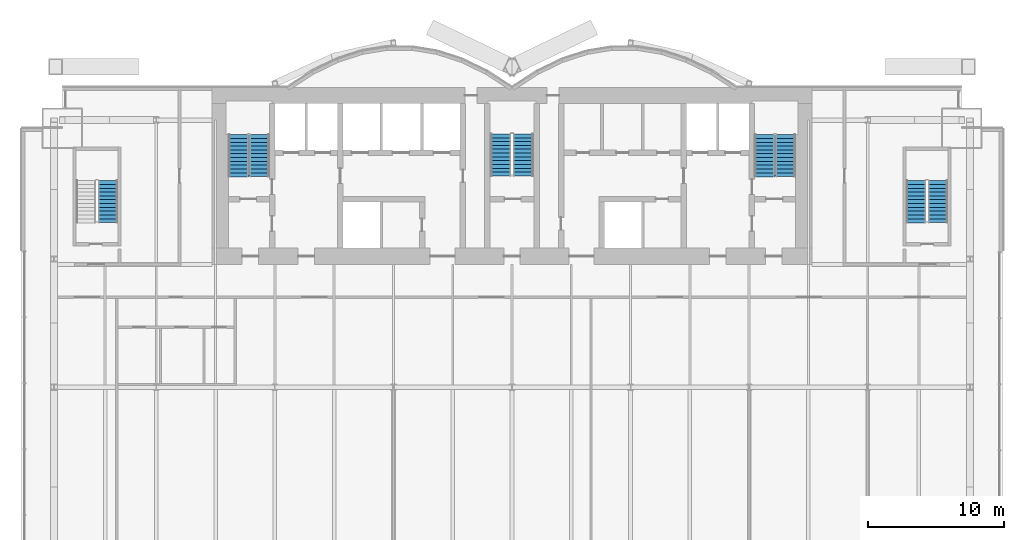
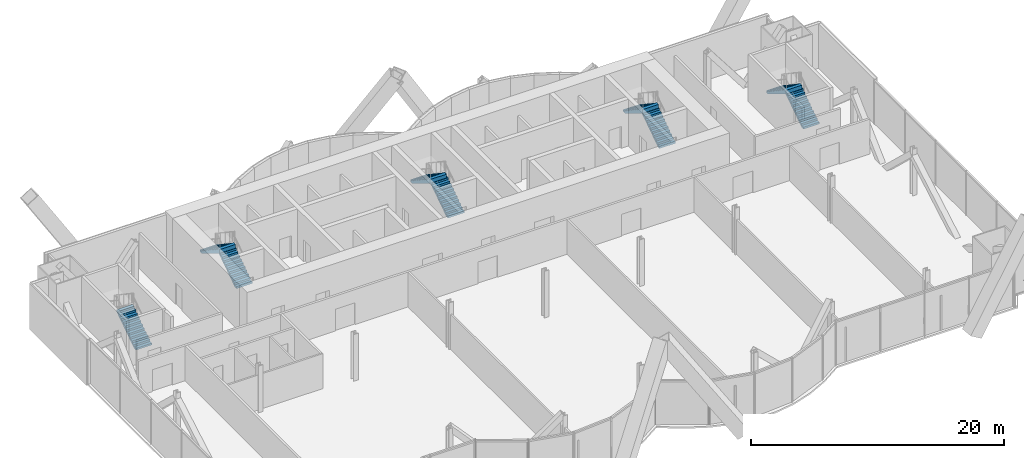
# One storey, part 18 of 21: 9 stair flights, 5 elements without a shape of their own.
"""IFC4 building model written with IfcOpenShell, lengths in metres."""

from ifc_helpers import new_model, si_unit, direction, frame, origin, place, context, subcontext, project, spatial, polyline, outline, extrude, material, type_object, element, aggregate, save


model = new_model("IFC4")

# Units and contexts
model_context = context("Model", 3, precision=1e-05, world=origin(), true_north=direction((0.0, 1.0)))
body_context = subcontext(model_context, "Body", "Model", "MODEL_VIEW")
ifc_project = project(units=[si_unit("LENGTHUNIT", "METRE"), si_unit("AREAUNIT", "SQUARE_METRE"), si_unit("VOLUMEUNIT", "CUBIC_METRE"), si_unit("PLANEANGLEUNIT", "RADIAN"), si_unit("MASSUNIT", "GRAM", prefix="KILO")], contexts=[model_context])

# Site, building, storey
site_placement = place(None, origin())
site = spatial("IfcSite", under=ifc_project, at=site_placement, CompositionType="ELEMENT")
building_placement = place(site_placement, origin())
building = spatial("IfcBuilding", under=site, at=building_placement, Name="Bicima Exchange Tower", CompositionType="ELEMENT")
storey_placement = place(building_placement, frame((0.0, 0.0, 80.0)))
storey = spatial("IfcBuildingStorey", under=building, at=storey_placement, Name="L16", CompositionType="ELEMENT", Elevation=80.0)

# Stair, stair flights
ifc_material = material(Name="Concrete C50/60", Category="concrete")
stair_type_1 = type_object("IfcStairType", Name="Exit stair", PredefinedType="HALF_TURN_STAIR", material=ifc_material)
stair_1_placement = place(storey_placement, origin())
stair_1 = element("IfcStair", 1, at=stair_1_placement, inside=storey, type_object=stair_type_1, Name="L16 West exit stair", PredefinedType="HALF_TURN_STAIR")
stair_flight_type_1 = type_object("IfcStairFlightType", Name="Stair flight RC", PredefinedType="STRAIGHT", material=ifc_material)
stair_flight_1_placement = place(storey_placement, frame((-18.52490234375, -6.550048828125, 0.0), z_axis=(0.0, 0.0, 1.0), x_axis=(0.0, 1.0, 0.0)))
stair_flight_1 = element("IfcStairFlight", 2, at=stair_flight_1_placement, type_object=stair_flight_type_1, Name="ST-W flight 1", NumberOfRisers=12, NumberOfTreads=11, PredefinedType="STRAIGHT", RiserHeight=0.1875, TreadLength=0.28, context=body_context, shape_type="SweptSolid", body=[
    extrude(outline(polyline([(0.0, 0.0), (0.0, 0.1875), (0.280029296875, 0.1875), (0.280029296875, 0.375), (0.56005859375, 0.375), (0.56005859375, 0.5625), (0.840087890625, 0.5625), (0.840087890625, 0.75), (1.1201171875, 0.75), (1.1201171875, 0.9375), (1.39990234375, 0.9375), (1.39990234375, 1.125), (1.679931640625, 1.125), (1.679931640625, 1.3125), (1.9599609375, 1.3125), (1.9599609375, 1.5), (2.239990234375, 1.5), (2.239990234375, 1.6875), (2.52001953125, 1.6875), (2.52001953125, 1.875), (2.800048828125, 1.875), (2.800048828125, 2.0625), (3.080078125, 2.0625), (3.080078125, 2.25), (3.080078125, 1.882080078125), (0.26953125, 0.0), (0.0, 0.0)])), frame((0.0, 0.72509765625, 0.0), z_axis=(0.0, -1.0, 0.0), x_axis=(1.0, 0.0, 0.0)), (0.0, 0.0, 1.0), 1.449951171875),
])
stair_flight_2_placement = place(storey_placement, frame((-20.074951171875, -3.469970703125, 2.25), z_axis=(0.0, 0.0, 1.0), x_axis=(0.0, -1.0, 0.0)))
stair_flight_2 = element("IfcStairFlight", 3, at=stair_flight_2_placement, type_object=stair_flight_type_1, Name="ST-W flight 2", NumberOfRisers=12, NumberOfTreads=11, PredefinedType="STRAIGHT", RiserHeight=0.1875, TreadLength=0.28, context=body_context, shape_type="SweptSolid", body=[
    extrude(outline(polyline([(0.0, 0.0), (0.0, 0.1875), (0.280029296875, 0.1875), (0.280029296875, 0.375), (0.56005859375, 0.375), (0.56005859375, 0.5625), (0.840087890625, 0.5625), (0.840087890625, 0.75), (1.1201171875, 0.75), (1.1201171875, 0.9375), (1.39990234375, 0.9375), (1.39990234375, 1.125), (1.679931640625, 1.125), (1.679931640625, 1.3125), (1.9599609375, 1.3125), (1.9599609375, 1.5), (2.239990234375, 1.5), (2.239990234375, 1.6875), (2.52001953125, 1.6875), (2.52001953125, 1.875), (2.800048828125, 1.875), (2.800048828125, 2.0625), (3.080078125, 2.0625), (3.094970703125, 2.0625), (3.094970703125, 1.70458984375), (0.26953125, 0.0), (0.0, 0.0)])), frame((0.0, 0.72509765625, 0.0), z_axis=(0.0, -1.0, 0.0), x_axis=(1.0, 0.0, 0.0)), (0.0, 0.0, 1.0), 1.449951171875),
])
aggregate(stair_1, [stair_flight_1, stair_flight_2])

stair_2_placement = place(storey_placement, origin())
stair_2 = element("IfcStair", 4, at=stair_2_placement, inside=storey, type_object=stair_type_1, Name="L16 East exit stair", PredefinedType="HALF_TURN_STAIR")
stair_flight_3_placement = place(storey_placement, frame((20.074951171875, -6.550048828125, 0.0), z_axis=(0.0, 0.0, 1.0), x_axis=(0.0, 1.0, 0.0)))
stair_flight_3 = element("IfcStairFlight", 5, at=stair_flight_3_placement, type_object=stair_flight_type_1, Name="ST-E flight 1", NumberOfRisers=12, NumberOfTreads=11, PredefinedType="STRAIGHT", RiserHeight=0.1875, TreadLength=0.28, context=body_context, shape_type="SweptSolid", body=[
    extrude(outline(polyline([(0.0, 0.0), (0.0, 0.1875), (0.280029296875, 0.1875), (0.280029296875, 0.375), (0.56005859375, 0.375), (0.56005859375, 0.5625), (0.840087890625, 0.5625), (0.840087890625, 0.75), (1.1201171875, 0.75), (1.1201171875, 0.9375), (1.39990234375, 0.9375), (1.39990234375, 1.125), (1.679931640625, 1.125), (1.679931640625, 1.3125), (1.9599609375, 1.3125), (1.9599609375, 1.5), (2.239990234375, 1.5), (2.239990234375, 1.6875), (2.52001953125, 1.6875), (2.52001953125, 1.875), (2.800048828125, 1.875), (2.800048828125, 2.0625), (3.080078125, 2.0625), (3.080078125, 2.25), (3.080078125, 1.882080078125), (0.26953125, 0.0), (0.0, 0.0)])), frame((0.0, 0.72509765625, 0.0), z_axis=(0.0, -1.0, 0.0), x_axis=(1.0, 0.0, 0.0)), (0.0, 0.0, 1.0), 1.449951171875),
])
stair_flight_4_placement = place(storey_placement, frame((18.52490234375, -3.469970703125, 2.25), z_axis=(0.0, 0.0, 1.0), x_axis=(0.0, -1.0, 0.0)))
stair_flight_4 = element("IfcStairFlight", 6, at=stair_flight_4_placement, type_object=stair_flight_type_1, Name="ST-E flight 2", NumberOfRisers=12, NumberOfTreads=11, PredefinedType="STRAIGHT", RiserHeight=0.1875, TreadLength=0.28, context=body_context, shape_type="SweptSolid", body=[
    extrude(outline(polyline([(0.0, 0.0), (0.0, 0.1875), (0.280029296875, 0.1875), (0.280029296875, 0.375), (0.56005859375, 0.375), (0.56005859375, 0.5625), (0.840087890625, 0.5625), (0.840087890625, 0.75), (1.1201171875, 0.75), (1.1201171875, 0.9375), (1.39990234375, 0.9375), (1.39990234375, 1.125), (1.679931640625, 1.125), (1.679931640625, 1.3125), (1.9599609375, 1.3125), (1.9599609375, 1.5), (2.239990234375, 1.5), (2.239990234375, 1.6875), (2.52001953125, 1.6875), (2.52001953125, 1.875), (2.800048828125, 1.875), (2.800048828125, 2.0625), (3.080078125, 2.0625), (3.094970703125, 2.0625), (3.094970703125, 1.70458984375), (0.26953125, 0.0), (0.0, 0.0)])), frame((0.0, 0.72509765625, 0.0), z_axis=(0.0, -1.0, 0.0), x_axis=(1.0, 0.0, 0.0)), (0.0, 0.0, 1.0), 1.449951171875),
])
aggregate(stair_2, [stair_flight_3, stair_flight_4])

# Stair, stair flight
stair_3_placement = place(storey_placement, origin())
stair_3 = element("IfcStair", 7, at=stair_3_placement, inside=storey, type_object=stair_type_1, Name="L16 West end exit stair", PredefinedType="HALF_TURN_STAIR")
stair_flight_5_placement = place(storey_placement, frame((-29.64990234375, -9.925048828125, 0.0), z_axis=(0.0, 0.0, 1.0), x_axis=(0.0, 1.0, 0.0)))
stair_flight_5 = element("IfcStairFlight", 8, at=stair_flight_5_placement, type_object=stair_flight_type_1, Name="ST-WW flight 1", NumberOfRisers=12, NumberOfTreads=11, PredefinedType="STRAIGHT", RiserHeight=0.1875, TreadLength=0.28, context=body_context, shape_type="SweptSolid", body=[
    extrude(outline(polyline([(0.0, 0.0), (0.0, 0.1875), (0.280029296875, 0.1875), (0.280029296875, 0.375), (0.56005859375, 0.375), (0.56005859375, 0.5625), (0.840087890625, 0.5625), (0.840087890625, 0.75), (1.1201171875, 0.75), (1.1201171875, 0.9375), (1.39990234375, 0.9375), (1.39990234375, 1.125), (1.679931640625, 1.125), (1.679931640625, 1.3125), (1.9599609375, 1.3125), (1.9599609375, 1.5), (2.239990234375, 1.5), (2.239990234375, 1.6875), (2.52001953125, 1.6875), (2.52001953125, 1.875), (2.800048828125, 1.875), (2.800048828125, 2.0625), (3.080078125, 2.0625), (3.080078125, 2.25), (3.080078125, 1.882080078125), (0.26953125, 0.0), (0.0, 0.0)])), frame((0.0, 0.72509765625, 0.0), z_axis=(0.0, -1.0, 0.0), x_axis=(1.0, 0.0, 0.0)), (0.0, 0.0, 1.0), 1.449951171875),
])
aggregate(stair_3, [stair_flight_5])

# Stair, stair flights
stair_4_placement = place(storey_placement, origin())
stair_4 = element("IfcStair", 9, at=stair_4_placement, inside=storey, type_object=stair_type_1, Name="L16 East end exit stair", PredefinedType="HALF_TURN_STAIR")
stair_flight_6_placement = place(storey_placement, frame((31.25, -9.925048828125, 0.0), z_axis=(0.0, 0.0, 1.0), x_axis=(0.0, 1.0, 0.0)))
stair_flight_6 = element("IfcStairFlight", 10, at=stair_flight_6_placement, type_object=stair_flight_type_1, Name="ST-EE flight 1", NumberOfRisers=12, NumberOfTreads=11, PredefinedType="STRAIGHT", RiserHeight=0.1875, TreadLength=0.28, context=body_context, shape_type="SweptSolid", body=[
    extrude(outline(polyline([(0.0, 0.0), (0.0, 0.1875), (0.280029296875, 0.1875), (0.280029296875, 0.375), (0.56005859375, 0.375), (0.56005859375, 0.5625), (0.840087890625, 0.5625), (0.840087890625, 0.75), (1.1201171875, 0.75), (1.1201171875, 0.9375), (1.39990234375, 0.9375), (1.39990234375, 1.125), (1.679931640625, 1.125), (1.679931640625, 1.3125), (1.9599609375, 1.3125), (1.9599609375, 1.5), (2.239990234375, 1.5), (2.239990234375, 1.6875), (2.52001953125, 1.6875), (2.52001953125, 1.875), (2.800048828125, 1.875), (2.800048828125, 2.0625), (3.080078125, 2.0625), (3.080078125, 2.25), (3.080078125, 1.882080078125), (0.26953125, 0.0), (0.0, 0.0)])), frame((0.0, 0.72509765625, 0.0), z_axis=(0.0, -1.0, 0.0), x_axis=(1.0, 0.0, 0.0)), (0.0, 0.0, 1.0), 1.449951171875),
])
stair_flight_7_placement = place(storey_placement, frame((29.64990234375, -6.844970703125, 2.25), z_axis=(0.0, 0.0, 1.0), x_axis=(0.0, -1.0, 0.0)))
stair_flight_7 = element("IfcStairFlight", 11, at=stair_flight_7_placement, type_object=stair_flight_type_1, Name="ST-EE flight 2", NumberOfRisers=12, NumberOfTreads=11, PredefinedType="STRAIGHT", RiserHeight=0.1875, TreadLength=0.28, context=body_context, shape_type="SweptSolid", body=[
    extrude(outline(polyline([(0.0, 0.0), (0.0, 0.1875), (0.280029296875, 0.1875), (0.280029296875, 0.375), (0.56005859375, 0.375), (0.56005859375, 0.5625), (0.840087890625, 0.5625), (0.840087890625, 0.75), (1.1201171875, 0.75), (1.1201171875, 0.9375), (1.39990234375, 0.9375), (1.39990234375, 1.125), (1.679931640625, 1.125), (1.679931640625, 1.3125), (1.9599609375, 1.3125), (1.9599609375, 1.5), (2.239990234375, 1.5), (2.239990234375, 1.6875), (2.52001953125, 1.6875), (2.52001953125, 1.875), (2.800048828125, 1.875), (2.800048828125, 2.0625), (3.080078125, 2.0625), (3.094970703125, 2.0625), (3.094970703125, 1.70458984375), (0.26953125, 0.0), (0.0, 0.0)])), frame((0.0, 0.72509765625, 0.0), z_axis=(0.0, -1.0, 0.0), x_axis=(1.0, 0.0, 0.0)), (0.0, 0.0, 1.0), 1.449951171875),
])
aggregate(stair_4, [stair_flight_6, stair_flight_7])

stair_type_2 = type_object("IfcStairType", Name="Exit stair 1500", PredefinedType="HALF_TURN_STAIR", material=ifc_material)
stair_5_placement = place(storey_placement, origin())
stair_5 = element("IfcStair", 12, at=stair_5_placement, inside=storey, type_object=stair_type_2, Name="L16 Central exit stair", PredefinedType="HALF_TURN_STAIR")
stair_flight_type_2 = type_object("IfcStairFlightType", Name="Stair flight RC 1500", PredefinedType="STRAIGHT", material=ifc_material)
stair_flight_8_placement = place(storey_placement, frame((0.824951171875, -6.5, 0.0), z_axis=(0.0, 0.0, 1.0), x_axis=(0.0, 1.0, 0.0)))
stair_flight_8 = element("IfcStairFlight", 13, at=stair_flight_8_placement, type_object=stair_flight_type_2, Name="ST-C flight 1", NumberOfRisers=12, NumberOfTreads=11, PredefinedType="STRAIGHT", RiserHeight=0.1875, TreadLength=0.28, context=body_context, shape_type="SweptSolid", body=[
    extrude(outline(polyline([(0.0, 0.0), (0.0, 0.1875), (0.280029296875, 0.1875), (0.280029296875, 0.375), (0.56005859375, 0.375), (0.56005859375, 0.5625), (0.840087890625, 0.5625), (0.840087890625, 0.75), (1.1201171875, 0.75), (1.1201171875, 0.9375), (1.39990234375, 0.9375), (1.39990234375, 1.125), (1.679931640625, 1.125), (1.679931640625, 1.3125), (1.9599609375, 1.3125), (1.9599609375, 1.5), (2.239990234375, 1.5), (2.239990234375, 1.6875), (2.52001953125, 1.6875), (2.52001953125, 1.875), (2.800048828125, 1.875), (2.800048828125, 2.0625), (3.080078125, 2.0625), (3.080078125, 2.25), (3.080078125, 1.882080078125), (0.26953125, 0.0), (0.0, 0.0)])), frame((0.0, 0.75, 0.0), z_axis=(0.0, -1.0, 0.0), x_axis=(1.0, 0.0, 0.0)), (0.0, 0.0, 1.0), 1.5),
])
stair_flight_9_placement = place(storey_placement, frame((-0.824951171875, -3.419921875, 2.25), z_axis=(0.0, 0.0, 1.0), x_axis=(0.0, -1.0, 0.0)))
stair_flight_9 = element("IfcStairFlight", 14, at=stair_flight_9_placement, type_object=stair_flight_type_2, Name="ST-C flight 2", NumberOfRisers=12, NumberOfTreads=11, PredefinedType="STRAIGHT", RiserHeight=0.1875, TreadLength=0.28, context=body_context, shape_type="SweptSolid", body=[
    extrude(outline(polyline([(0.0, 0.0), (0.0, 0.1875), (0.280029296875, 0.1875), (0.280029296875, 0.375), (0.56005859375, 0.375), (0.56005859375, 0.5625), (0.840087890625, 0.5625), (0.840087890625, 0.75), (1.1201171875, 0.75), (1.1201171875, 0.9375), (1.39990234375, 0.9375), (1.39990234375, 1.125), (1.679931640625, 1.125), (1.679931640625, 1.3125), (1.9599609375, 1.3125), (1.9599609375, 1.5), (2.239990234375, 1.5), (2.239990234375, 1.6875), (2.52001953125, 1.6875), (2.52001953125, 1.875), (2.800048828125, 1.875), (2.800048828125, 2.0625), (3.080078125, 2.0625), (3.094970703125, 2.0625), (3.094970703125, 1.70458984375), (0.26953125, 0.0), (0.0, 0.0)])), frame((0.0, 0.75, 0.0), z_axis=(0.0, -1.0, 0.0), x_axis=(1.0, 0.0, 0.0)), (0.0, 0.0, 1.0), 1.5),
])
aggregate(stair_5, [stair_flight_8, stair_flight_9])

save(model, "model.ifc")
